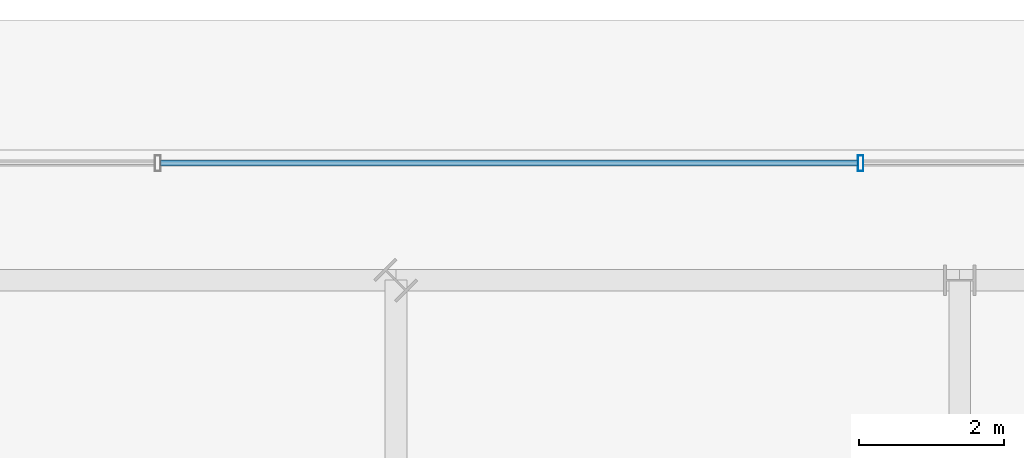
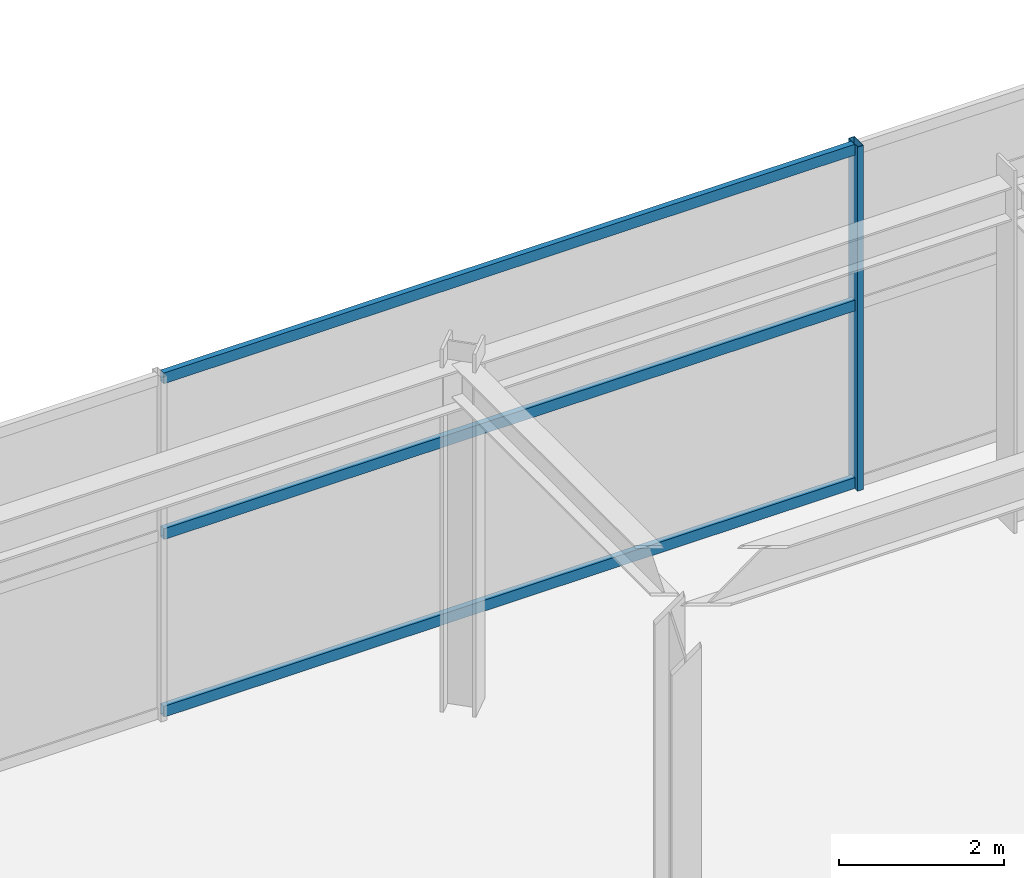
# One storey, part 14 of 29: 4 members, 1 element without a shape of its own.
"""IFC4 building model written with IfcOpenShell, lengths in metres."""

from ifc_helpers import new_model, si_unit, direction, frame, origin, origin_2d, place, context, subcontext, project, spatial, hollow_rectangle, extrude, source, transform, mapped, material, material_profile, profile_set, type_object, element, aggregate, save


model = new_model("IFC4")

# Units and contexts
model_context = context("Model", 3, precision=1e-05, world=origin(), true_north=direction((0.0, 1.0)))
body_context = subcontext(model_context, "Body", "Model", "MODEL_VIEW")
ifc_project = project(units=[si_unit("LENGTHUNIT", "METRE"), si_unit("AREAUNIT", "SQUARE_METRE"), si_unit("VOLUMEUNIT", "CUBIC_METRE"), si_unit("PLANEANGLEUNIT", "RADIAN"), si_unit("MASSUNIT", "GRAM", prefix="KILO")], contexts=[model_context])

# Site, building, storey
site_placement = place(None, origin())
site = spatial("IfcSite", under=ifc_project, at=site_placement, CompositionType="ELEMENT")
building_placement = place(site_placement, origin())
building = spatial("IfcBuilding", under=site, at=building_placement, Name="Nahalor Promenade Grand Hotel", CompositionType="ELEMENT")
storey_placement = place(building_placement, origin())
storey = spatial("IfcBuildingStorey", under=building, at=storey_placement, Name="L00", CompositionType="ELEMENT", Elevation=0.0)

# Curtain wall, members
ifc_material = material(Name="Anodised Bronze Aluminium EN AW-6063 T6", Category="aluminium")
curtain_wall_type = type_object("IfcCurtainWallType", Name="CW1 Waterfront Podium Bronze Arcade Curtain Wall", PredefinedType="USERDEFINED", material=ifc_material)
curtain_wall_placement = place(storey_placement, origin())
curtain_wall = element("IfcCurtainWall", 1, at=curtain_wall_placement, inside=storey, type_object=curtain_wall_type, Name="L00 Curtain Wall CW-L00-N-MID", ObjectType="UNITISED_CURTAIN_WALL", PredefinedType="USERDEFINED")
ifc_material_profile_1 = material_profile(ifc_material, hollow_rectangle(XDim=0.08, YDim=0.22, WallThickness=0.005, at=origin_2d()), Name="CWM 80x220x5")
ifc_profile_set_1 = profile_set([ifc_material_profile_1], Name="Anodised Bronze Aluminium EN AW-6063 T6")
member_type_1 = type_object("IfcMemberType", Name="CWM1 Podium Bronze Mullion 80x220", PredefinedType="MULLION", material=ifc_profile_set_1)
shared_shape_1 = source(origin(), body_context, "Body", "SweptSolid", [
    extrude(hollow_rectangle(XDim=0.08, YDim=0.22, WallThickness=0.005, at=origin_2d()), origin(), (0.0, 0.0, 1.0), 5.080078125),
])
member_1_placement = place(storey_placement, frame((-18.3720703125, 23.820068359375, 0.0), z_axis=(0.0, 0.0, 1.0), x_axis=(1.0, 0.0, 0.0)))
member_1 = element("IfcMember", 2, at=member_1_placement, type_object=member_type_1, Name="CW-L00-N-MID Mullion 2", PredefinedType="MULLION", context=body_context, shape_type="MappedRepresentation", body=[
    mapped(shared_shape_1, transform((0.0, 0.0, 0.0), scale=1.0)),
])
ifc_material_profile_2 = material_profile(ifc_material, hollow_rectangle(XDim=0.08, YDim=0.16, WallThickness=0.004, at=origin_2d()), Name="CWT 80x160x4")
ifc_profile_set_2 = profile_set([ifc_material_profile_2], Name="Anodised Bronze Aluminium EN AW-6063 T6")
member_type_2 = type_object("IfcMemberType", Name="CWT1 Podium Bronze Transom 80x160", PredefinedType="USERDEFINED", material=ifc_profile_set_2)
shared_shape_2 = source(origin(), body_context, "Body", "SweptSolid", [
    extrude(hollow_rectangle(XDim=0.08, YDim=0.16, WallThickness=0.004, at=origin_2d()), origin(), (0.0, 0.0, 1.0), 9.643798828125),
])
member_2_placement = place(storey_placement, frame((-28.055908203125, 23.820068359375, 0.080078125), z_axis=(1.0, 0.0, 0.0), x_axis=(0.0, 1.0, 0.0)))
member_2 = element("IfcMember", 3, at=member_2_placement, type_object=member_type_2, Name="CW-L00-N-MID Transom 1-0", ObjectType="TRANSOM", PredefinedType="USERDEFINED", context=body_context, shape_type="MappedRepresentation", body=[
    mapped(shared_shape_2, transform((0.0, 0.0, 0.0), scale=1.0)),
])
member_3_placement = place(storey_placement, frame((-28.055908203125, 23.820068359375, 2.699951171875), z_axis=(1.0, 0.0, 0.0), x_axis=(0.0, 1.0, 0.0)))
member_3 = element("IfcMember", 4, at=member_3_placement, type_object=member_type_2, Name="CW-L00-N-MID Transom 1-1", ObjectType="TRANSOM", PredefinedType="USERDEFINED", context=body_context, shape_type="MappedRepresentation", body=[
    mapped(shared_shape_2, transform((0.0, 0.0, 0.0), scale=1.0)),
])
member_4_placement = place(storey_placement, frame((-28.055908203125, 23.820068359375, 5.0), z_axis=(1.0, 0.0, 0.0), x_axis=(0.0, 1.0, 0.0)))
member_4 = element("IfcMember", 5, at=member_4_placement, type_object=member_type_2, Name="CW-L00-N-MID Transom 1-2", ObjectType="TRANSOM", PredefinedType="USERDEFINED", context=body_context, shape_type="MappedRepresentation", body=[
    mapped(shared_shape_2, transform((0.0, 0.0, 0.0), scale=1.0)),
])
aggregate(curtain_wall, [member_1, member_2, member_3, member_4])

save(model, "model.ifc")
